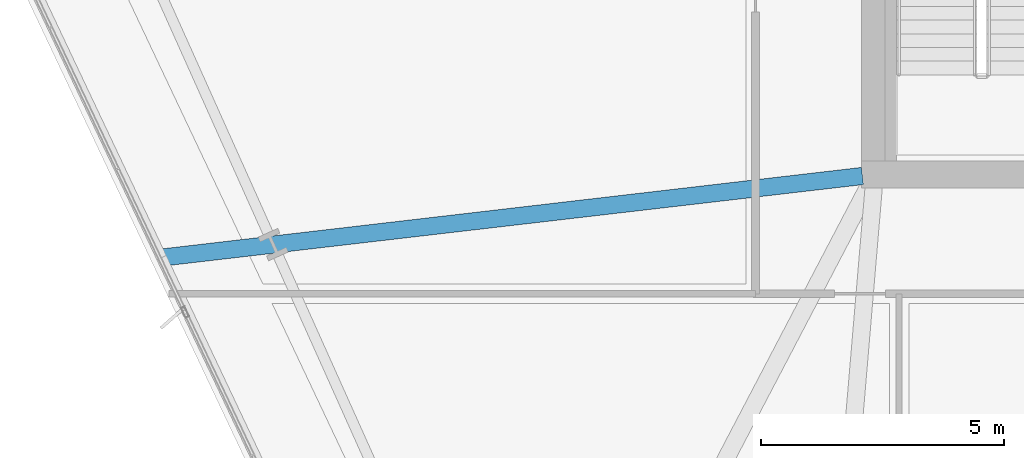
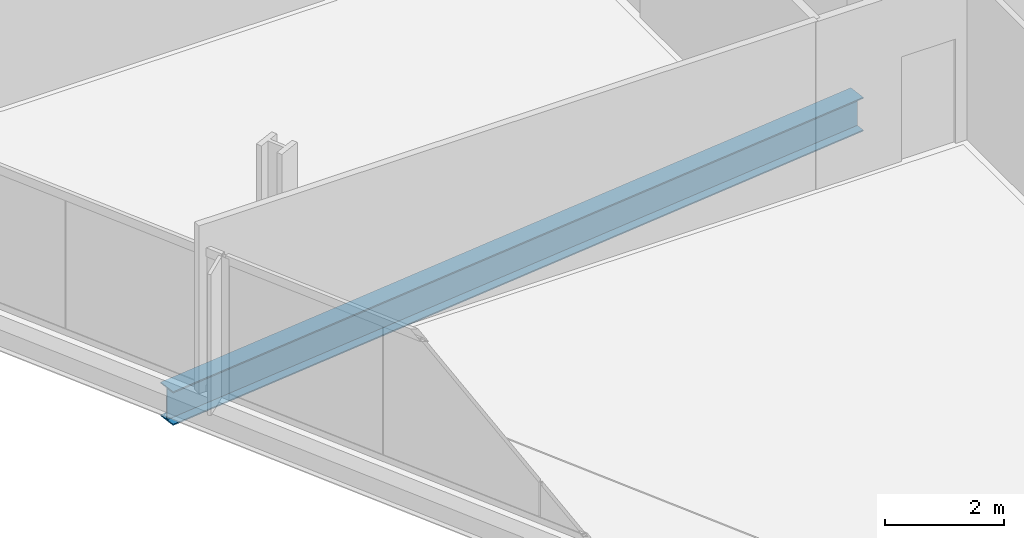
# One storey, part 6 of 34: 1 beam.
"""IFC4 building model written with IfcOpenShell, lengths in metres."""

from ifc_helpers import new_model, si_unit, direction, frame, origin, origin_2d, place, context, subcontext, project, spatial, i_section, extrude, material, material_profile, profile_set, type_object, element, save


model = new_model("IFC4")

# Units and contexts
model_context = context("Model", 3, precision=1e-05, world=origin(), true_north=direction((0.0, 1.0)))
body_context = subcontext(model_context, "Body", "Model", "MODEL_VIEW")
ifc_project = project(units=[si_unit("LENGTHUNIT", "METRE"), si_unit("AREAUNIT", "SQUARE_METRE"), si_unit("VOLUMEUNIT", "CUBIC_METRE"), si_unit("PLANEANGLEUNIT", "RADIAN"), si_unit("MASSUNIT", "GRAM", prefix="KILO")], contexts=[model_context])

# Site, building, storey
site_placement = place(None, origin())
site = spatial("IfcSite", under=ifc_project, at=site_placement, CompositionType="ELEMENT")
building_placement = place(site_placement, origin())
building = spatial("IfcBuilding", under=site, at=building_placement, Name="Haldenkirk Collegiate Tower", CompositionType="ELEMENT")
storey_placement = place(building_placement, frame((0.0, 0.0, 112.949951171875)))
storey = spatial("IfcBuildingStorey", under=building, at=storey_placement, Name="L27", CompositionType="ELEMENT", Elevation=112.949951171875)

# Beam
ifc_material = material(Name="Steel ASTM A992 Grade 50", Category="steel")
ifc_material_profile = material_profile(ifc_material, i_section(OverallWidth=0.35498046875, OverallDepth=0.696044921875, WebThickness=0.015380859375, FlangeThickness=0.02490234375, at=origin_2d()), Name="W27X146")
ifc_profile_set = profile_set([ifc_material_profile], Name="Steel ASTM A992 Grade 50")
beam_type = type_object("IfcBeamType", Name="BM-GIRDER-W27X146", PredefinedType="BEAM", material=ifc_profile_set)
beam_placement = place(storey_placement, frame((12.349609375, 16.2939453125, -0.64794921875), z_axis=(0.993287996685, 0.11566743553, 0.0), x_axis=(-0.11566743553, 0.993287996685, 0.0)))
element("IfcBeam", 1, at=beam_placement, inside=storey, type_object=beam_type, Name="L27 primary floor girder 15", PredefinedType="BEAM", context=body_context, shape_type="SweptSolid", body=[
    extrude(i_section(OverallWidth=0.35498046875, OverallDepth=0.696044921875, WebThickness=0.015380859375, FlangeThickness=0.02490234375, at=origin_2d()), origin(), (0.0, 0.0, 1.0), 14.494140625),
])

save(model, "model.ifc")
